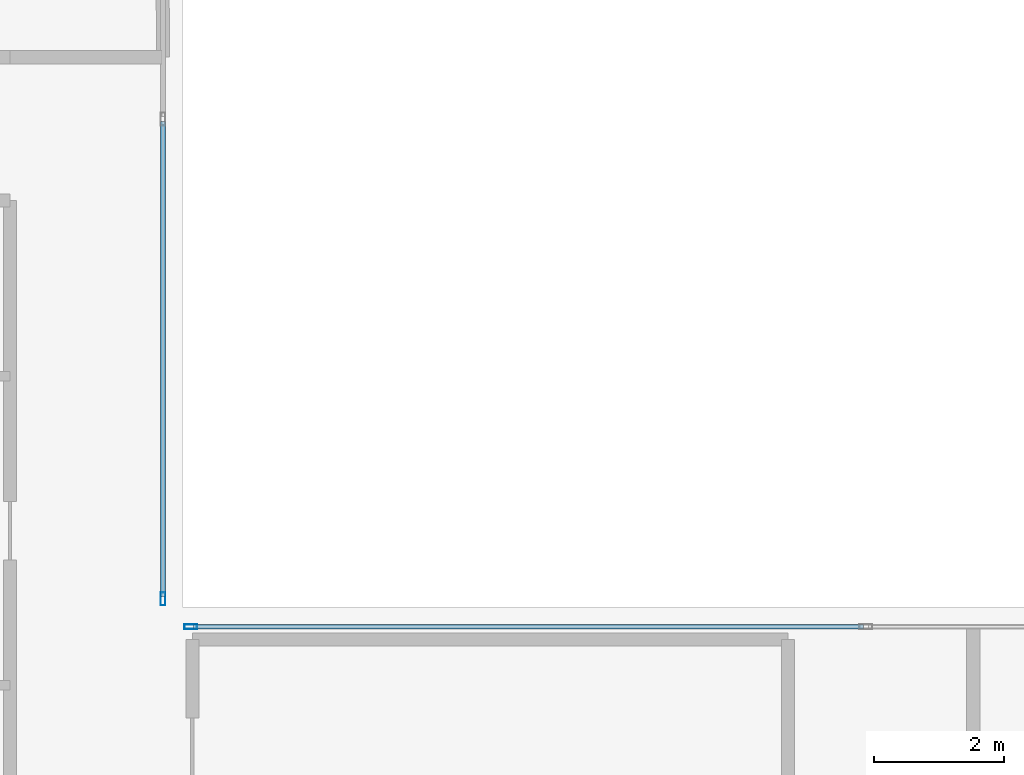
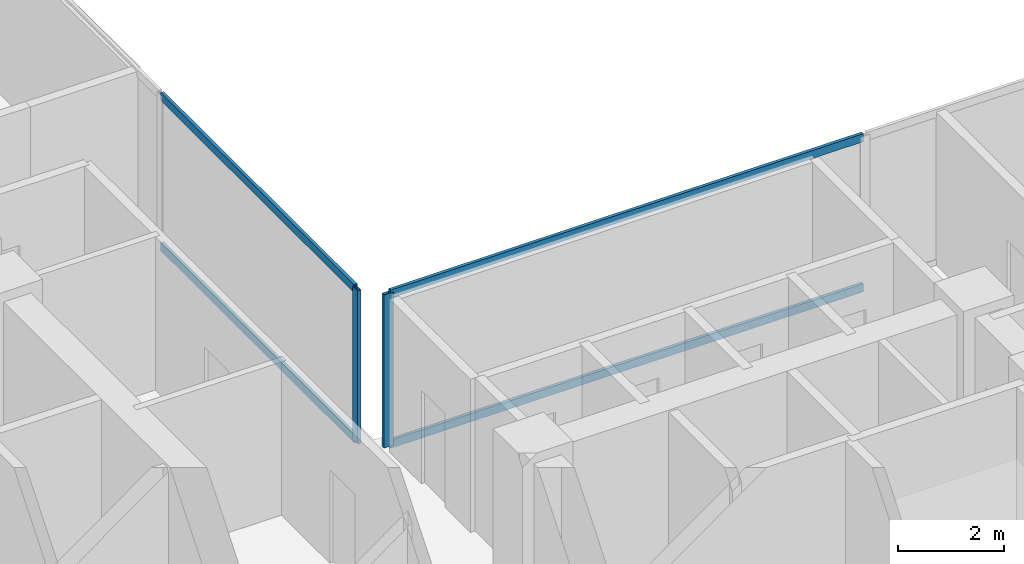
# One storey, part 9 of 28: 6 members, 2 elements without a shape of their own.
"""IFC4 building model written with IfcOpenShell, lengths in metres."""

import ifcopenshell
import ifcopenshell.guid

model = None  # the IFC model being written
_history = None  # IfcOwnerHistory: only IFC2X3 demands one
_inside = {}  # id of a spatial element -> (the spatial element, [elements in it])
_under = {}  # id of a project, library or spatial element -> (it, [spatial elements below it])
_declared = {}  # id of a project -> (the project, [libraries it declares])
_typed = {}  # id of a type object -> (the type object, [elements of that type])
_made_of = {}  # id of a material, layer set ... -> (it, [elements and type objects made of it])


def new_model(schema):
    """Start an empty IFC model of exactly this schema.

    Asked for "IFC4X3", IfcOpenShell would pick the latest addendum, in which some entities
    have other attributes; the version numbers below select the first issue.
    IFC2X3 requires an IfcOwnerHistory on every rooted entity: one is made here for all.
    """
    global model, _history
    if schema == "IFC4X3":
        model = ifcopenshell.file(schema_version=(4, 3, 0, 0))
    else:
        model = ifcopenshell.file(schema=schema)
    _inside.clear()
    _under.clear()
    _declared.clear()
    _typed.clear()
    _made_of.clear()
    _history = None
    if model.schema == "IFC2X3":
        org = make("IfcOrganization", Name="unknown")
        user = make(
            "IfcPersonAndOrganization",
            ThePerson=make("IfcPerson", FamilyName="unknown"),
            TheOrganization=org,
        )
        app = make(
            "IfcApplication",
            ApplicationDeveloper=org,
            Version="unknown",
            ApplicationFullName="unknown",
            ApplicationIdentifier="unknown",
        )
        _history = make(
            "IfcOwnerHistory",
            OwningUser=user,
            OwningApplication=app,
            ChangeAction="ADDED",
            CreationDate=0,
        )
    return model


def make(cls, **values):
    """One entity of the class cls with the attributes given. An attribute that is None is left unset."""
    return model.create_entity(
        cls, **{name: value for name, value in values.items() if value is not None}
    )


def rooted(cls, **values):
    """An entity with a GlobalId (a new one), such as an element, a storey or a relation."""
    return make(cls, GlobalId=ifcopenshell.guid.new(), OwnerHistory=_history, **values)


def si_unit(unit_type, name, prefix=None):
    """IfcSIUnit, for example si_unit("LENGTHUNIT", "METRE", prefix="MILLI")."""
    return make("IfcSIUnit", UnitType=unit_type, Prefix=prefix, Name=name)


def assignment(units):
    """IfcUnitAssignment: the units of a project."""
    return None if units is None else make("IfcUnitAssignment", Units=units)


def point(xyz):
    """IfcCartesianPoint."""
    return None if xyz is None else make("IfcCartesianPoint", Coordinates=xyz)


def direction(xyz):
    """IfcDirection."""
    return None if xyz is None else make("IfcDirection", DirectionRatios=xyz)


def frame(location, z_axis=None, x_axis=None):
    """IfcAxis2Placement3D, a coordinate frame: its origin and axes. An axis left out is left unset."""
    return make(
        "IfcAxis2Placement3D",
        Location=point(location),
        Axis=direction(z_axis),
        RefDirection=direction(x_axis),
    )


def frame_2d(location, x_axis=None):
    """IfcAxis2Placement2D, a coordinate frame in the plane: its origin and x axis."""
    return make(
        "IfcAxis2Placement2D", Location=point(location), RefDirection=direction(x_axis)
    )


def origin():
    """The frame at (0, 0, 0) with its axes left unset."""
    return frame((0.0, 0.0, 0.0))


def origin_2d():
    """The frame at (0, 0) in the plane with its x axis left unset."""
    return frame_2d((0.0, 0.0))


def place(relative_to, where):
    """IfcLocalPlacement: puts the frame where relative to a parent placement (None: the world)."""
    return make(
        "IfcLocalPlacement", PlacementRelTo=relative_to, RelativePlacement=where
    )


def context(
    kind, dimensions, precision=None, world=None, true_north=None, identifier=None
):
    """IfcGeometricRepresentationContext, for example the 3D "Model" context."""
    return make(
        "IfcGeometricRepresentationContext",
        ContextIdentifier=identifier,
        ContextType=kind,
        CoordinateSpaceDimension=dimensions,
        Precision=precision,
        WorldCoordinateSystem=world,
        TrueNorth=true_north,
    )


def subcontext(parent, identifier, kind, view, scale=None):
    """IfcGeometricRepresentationSubContext, for example "Body" below "Model"."""
    return make(
        "IfcGeometricRepresentationSubContext",
        ContextIdentifier=identifier,
        ContextType=kind,
        ParentContext=parent,
        TargetScale=scale,
        TargetView=view,
    )


def project(units=None, contexts=None):
    """IfcProject with its units and contexts."""
    return rooted(
        "IfcProject",
        Name="project",
        RepresentationContexts=contexts,
        UnitsInContext=assignment(units),
    )


def spatial(cls, under=None, at=None, **own):
    """A site, building, storey or space (cls), placed at a placement, below another one or the project."""
    s = rooted(cls, ObjectPlacement=at, **own)
    if under is not None:
        _under.setdefault(under.id(), (under, []))[1].append(s)
    return s


def profile(cls, at=None, kind="AREA", **sizes):
    """A parametric profile (cls). Its sizes go by their IFC names, for example OverallWidth=200.0."""
    return make(cls, ProfileType=kind, Position=at, **sizes)


def hollow_rectangle(**sizes):
    """IfcRectangleHollowProfileDef."""
    return profile("IfcRectangleHollowProfileDef", **sizes)


def extrude(swept, where, along, depth):
    """IfcExtrudedAreaSolid: the profile swept, set in the frame where, extruded along a direction by depth."""
    return make(
        "IfcExtrudedAreaSolid",
        SweptArea=swept,
        Position=where,
        ExtrudedDirection=direction(along),
        Depth=depth,
    )


def shape(context_of_items, identifier, shape_type, items):
    """IfcShapeRepresentation: the items that make up one representation, for example the "Body"."""
    return make(
        "IfcShapeRepresentation",
        ContextOfItems=context_of_items,
        RepresentationIdentifier=identifier,
        RepresentationType=shape_type,
        Items=items,
    )


def material(Name=None, Category=None):
    """IfcMaterial."""
    return make("IfcMaterial", Name=Name, Category=Category)


def layer(
    of_material, thickness, ventilated=None, Name=None, Category=None, Priority=None
):
    """IfcMaterialLayer: one layer of a wall or slab, of a material (None: an air gap)."""
    return make(
        "IfcMaterialLayer",
        Material=of_material,
        LayerThickness=thickness,
        IsVentilated=ventilated,
        Name=Name,
        Category=Category,
        Priority=Priority,
    )


def layer_set(layers, Name=None):
    """IfcMaterialLayerSet."""
    return make("IfcMaterialLayerSet", MaterialLayers=layers, LayerSetName=Name)


def material_profile(
    of_material, cross_section, Name=None, Category=None, Priority=None
):
    """IfcMaterialProfile: a cross section and its material."""
    return make(
        "IfcMaterialProfile",
        Name=Name,
        Material=of_material,
        Profile=cross_section,
        Priority=Priority,
        Category=Category,
    )


def profile_set(profiles, Name=None, composite=None):
    """IfcMaterialProfileSet."""
    return make(
        "IfcMaterialProfileSet",
        Name=Name,
        MaterialProfiles=profiles,
        CompositeProfile=composite,
    )


def made_of(thing, what):
    """Note that an element or type object is made of a material, layer set ...; save() writes the relation."""
    if what is not None:
        _made_of.setdefault(what.id(), (what, []))[1].append(thing)
    return thing


def type_object(cls, material=None, **own):
    """A type object (cls), such as IfcWallType, which elements share."""
    return made_of(rooted(cls, **own), material)


def element(
    cls,
    number,
    at=None,
    inside=None,
    cuts=None,
    type_object=None,
    material=None,
    context=None,
    identifier="Body",
    shape_type=None,
    held_by="IfcProductDefinitionShape",
    body=None,
    shapes=None,
    **own,
):
    """One element of the class cls, such as IfcWall. Its Tag is "e" and its number.

    at: its placement. inside: the storey or other place that contains it. cuts: it is an
    opening in that element (IfcRelVoidsElement). A single representation is given by context,
    identifier, shape_type and body (its items); several are given by shapes. held_by: the class
    of the entity that holds the representations. save() writes the other relations.
    """
    e = rooted(cls, Tag="e%d" % number, ObjectPlacement=at, **own)
    if body is not None:
        shapes = [shape(context, identifier, shape_type, body)]
    if shapes is not None:
        e.Representation = make(held_by, Representations=shapes)
    if inside is not None:
        _inside.setdefault(inside.id(), (inside, []))[1].append(e)
    if cuts is not None:
        rooted(
            "IfcRelVoidsElement", RelatingBuildingElement=cuts, RelatedOpeningElement=e
        )
    if type_object is not None:
        _typed.setdefault(type_object.id(), (type_object, []))[1].append(e)
    return made_of(e, material)


def aggregate(whole, parts):
    """IfcRelAggregates: a whole, such as a stair, and the parts it consists of."""
    return rooted("IfcRelAggregates", RelatingObject=whole, RelatedObjects=parts)


def save(model, path):
    """Write the relations noted so far, then the file.

    IfcRelAggregates (storeys below a building ...), IfcRelContainedInSpatialStructure (elements
    in a storey), IfcRelDefinesByType, IfcRelAssociatesMaterial and IfcRelDeclares: one each for
    every whole, place, type object, material and project.
    """
    for whole, parts in _under.values():
        aggregate(whole, parts)
    for where, things in _inside.values():
        rooted(
            "IfcRelContainedInSpatialStructure",
            RelatedElements=things,
            RelatingStructure=where,
        )
    for kind, things in _typed.values():
        rooted("IfcRelDefinesByType", RelatedObjects=things, RelatingType=kind)
    for what, things in _made_of.values():
        rooted("IfcRelAssociatesMaterial", RelatedObjects=things, RelatingMaterial=what)
    for by, libraries in _declared.values():
        rooted("IfcRelDeclares", RelatingContext=by, RelatedDefinitions=libraries)
    model.write(path)


model = new_model("IFC4")

# Units and contexts
model_context = context("Model", 3, precision=1e-05, world=origin(), true_north=direction((0.0, 1.0)))
body_context = subcontext(model_context, "Body", "Model", "MODEL_VIEW")
ifc_project = project(units=[si_unit("LENGTHUNIT", "METRE"), si_unit("AREAUNIT", "SQUARE_METRE"), si_unit("VOLUMEUNIT", "CUBIC_METRE"), si_unit("PLANEANGLEUNIT", "RADIAN"), si_unit("MASSUNIT", "GRAM", prefix="KILO"), si_unit("THERMODYNAMICTEMPERATUREUNIT", "KELVIN"), si_unit("POWERUNIT", "WATT")], contexts=[model_context])

# Site, building, storey
site_placement = place(None, origin())
site = spatial("IfcSite", under=ifc_project, at=site_placement, CompositionType="ELEMENT")
building_placement = place(site_placement, origin())
building = spatial("IfcBuilding", under=site, at=building_placement, Name="Svarakhadi Broadcast Tower", CompositionType="ELEMENT")
storey_placement = place(building_placement, frame((0.0, 0.0, 123.14990234375)))
storey = spatial("IfcBuildingStorey", under=building, at=storey_placement, Name="L29", CompositionType="ELEMENT", Elevation=123.14990234375)

# Curtain wall, member
ifc_material = material(Name="Anodised Bronze Aluminium AA 6063-T6", Category="aluminium")
ifc_layer = layer(ifc_material, 0.199951171875)
ifc_layer_set = layer_set([ifc_layer], Name="Anodised Bronze Aluminium AA 6063-T6")
curtain_wall_type = type_object("IfcCurtainWallType", Name="CW_Sys_03", PredefinedType="NOTDEFINED", material=ifc_layer_set)
curtain_wall_1_placement = place(storey_placement, origin())
curtain_wall_1 = element("IfcCurtainWall", 1, at=curtain_wall_1_placement, inside=storey, type_object=curtain_wall_type, Name="L29 Unitised Facade Curtain Wall 09", PredefinedType="NOTDEFINED")
ifc_material_profile_1 = material_profile(ifc_material, hollow_rectangle(XDim=0.074951171875, YDim=0.199951171875, WallThickness=0.005615234375, at=origin_2d()), Name="ALU MULLION 200x75x6")
ifc_profile_set_1 = profile_set([ifc_material_profile_1], Name="Anodised Bronze Aluminium AA 6063-T6")
member_type_1 = type_object("IfcMemberType", Name="CW_Sys_03_Mul", PredefinedType="MULLION", material=ifc_profile_set_1)
member_1_placement = place(storey_placement, frame((23.699951171875, 24.12744140625, 0.0), z_axis=(0.0, 0.0, 1.0), x_axis=(1.0, 0.0, 0.0)))
member_1 = element("IfcMember", 2, at=member_1_placement, type_object=member_type_1, Name="CW-03 mullion 3", PredefinedType="MULLION", context=body_context, shape_type="SweptSolid", body=[
    extrude(hollow_rectangle(XDim=0.074951171875, YDim=0.199951171875, WallThickness=0.005615234375, at=origin_2d()), origin(), (0.0, 0.0, 1.0), 3.525146484375),
])

curtain_wall_2_placement = place(storey_placement, origin())
curtain_wall_2 = element("IfcCurtainWall", 3, at=curtain_wall_2_placement, inside=storey, type_object=curtain_wall_type, Name="L29 Unitised Facade Curtain Wall 10", PredefinedType="NOTDEFINED")
member_2_placement = place(storey_placement, frame((24.12744140625, 23.699951171875, 0.0), z_axis=(0.0, 0.0, 1.0), x_axis=(0.0, 1.0, 0.0)))
member_2 = element("IfcMember", 4, at=member_2_placement, type_object=member_type_1, Name="CW-03 mullion 1", PredefinedType="MULLION", context=body_context, shape_type="SweptSolid", body=[
    extrude(hollow_rectangle(XDim=0.074951171875, YDim=0.199951171875, WallThickness=0.005615234375, at=origin_2d()), origin(), (0.0, 0.0, 1.0), 3.525146484375),
])

# Member
ifc_material_profile_2 = material_profile(ifc_material, hollow_rectangle(XDim=0.070068359375, YDim=0.18505859375, WallThickness=0.0048828125, at=origin_2d()), Name="ALU TRANSOM 185x70x5")
ifc_profile_set_2 = profile_set([ifc_material_profile_2], Name="Anodised Bronze Aluminium AA 6063-T6")
member_type_2 = type_object("IfcMemberType", Name="CW_Sys_03_Trn", PredefinedType="USERDEFINED", material=ifc_profile_set_2)
member_3_placement = place(storey_placement, frame((23.699951171875, 31.46240234375, 0.03515625), z_axis=(0.0, -1.0, 0.0), x_axis=(1.0, 0.0, 0.0)))
member_3 = element("IfcMember", 5, at=member_3_placement, type_object=member_type_2, Name="CW-03 transom 2.1", ObjectType="TRANSOM", PredefinedType="USERDEFINED", context=body_context, shape_type="SweptSolid", body=[
    extrude(hollow_rectangle(XDim=0.070068359375, YDim=0.18505859375, WallThickness=0.0048828125, at=origin_2d()), origin(), (0.0, 0.0, 1.0), 7.29736328125),
])

member_4_placement = place(storey_placement, frame((23.699951171875, 31.46240234375, 3.489990234375), z_axis=(0.0, -1.0, 0.0), x_axis=(1.0, 0.0, 0.0)))
member_4 = element("IfcMember", 6, at=member_4_placement, type_object=member_type_2, Name="CW-03 transom 2.2", ObjectType="TRANSOM", PredefinedType="USERDEFINED", context=body_context, shape_type="SweptSolid", body=[
    extrude(hollow_rectangle(XDim=0.070068359375, YDim=0.18505859375, WallThickness=0.0048828125, at=origin_2d()), origin(), (0.0, 0.0, 1.0), 7.29736328125),
])

aggregate(curtain_wall_1, [member_1, member_3, member_4])

member_5_placement = place(storey_placement, frame((24.1650390625, 23.699951171875, 0.03515625), z_axis=(1.0, 0.0, 0.0), x_axis=(0.0, 1.0, 0.0)))
member_5 = element("IfcMember", 7, at=member_5_placement, type_object=member_type_2, Name="CW-03 transom 1.1", ObjectType="TRANSOM", PredefinedType="USERDEFINED", context=body_context, shape_type="SweptSolid", body=[
    extrude(hollow_rectangle(XDim=0.070068359375, YDim=0.18505859375, WallThickness=0.0048828125, at=origin_2d()), origin(), (0.0, 0.0, 1.0), 10.29736328125),
])

member_6_placement = place(storey_placement, frame((24.1650390625, 23.699951171875, 3.489990234375), z_axis=(1.0, 0.0, 0.0), x_axis=(0.0, 1.0, 0.0)))
member_6 = element("IfcMember", 8, at=member_6_placement, type_object=member_type_2, Name="CW-03 transom 1.2", ObjectType="TRANSOM", PredefinedType="USERDEFINED", context=body_context, shape_type="SweptSolid", body=[
    extrude(hollow_rectangle(XDim=0.070068359375, YDim=0.18505859375, WallThickness=0.0048828125, at=origin_2d()), origin(), (0.0, 0.0, 1.0), 10.29736328125),
])

aggregate(curtain_wall_2, [member_2, member_5, member_6])

save(model, "model.ifc")
